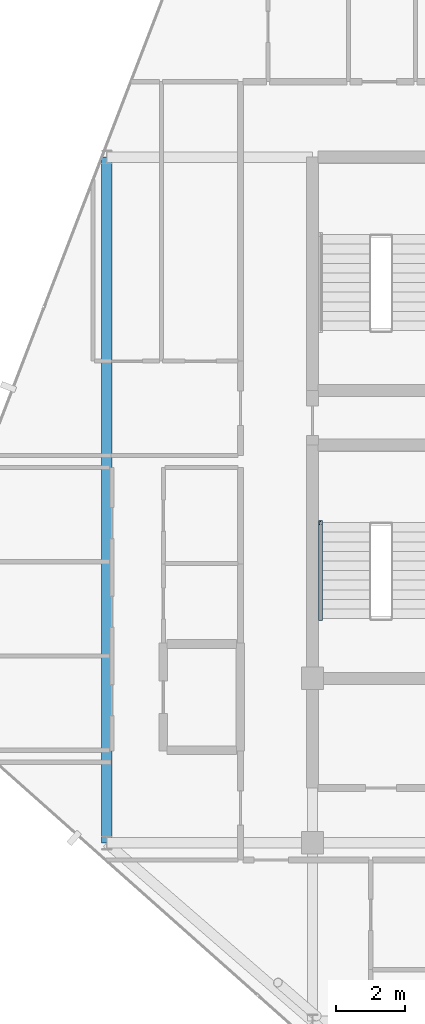
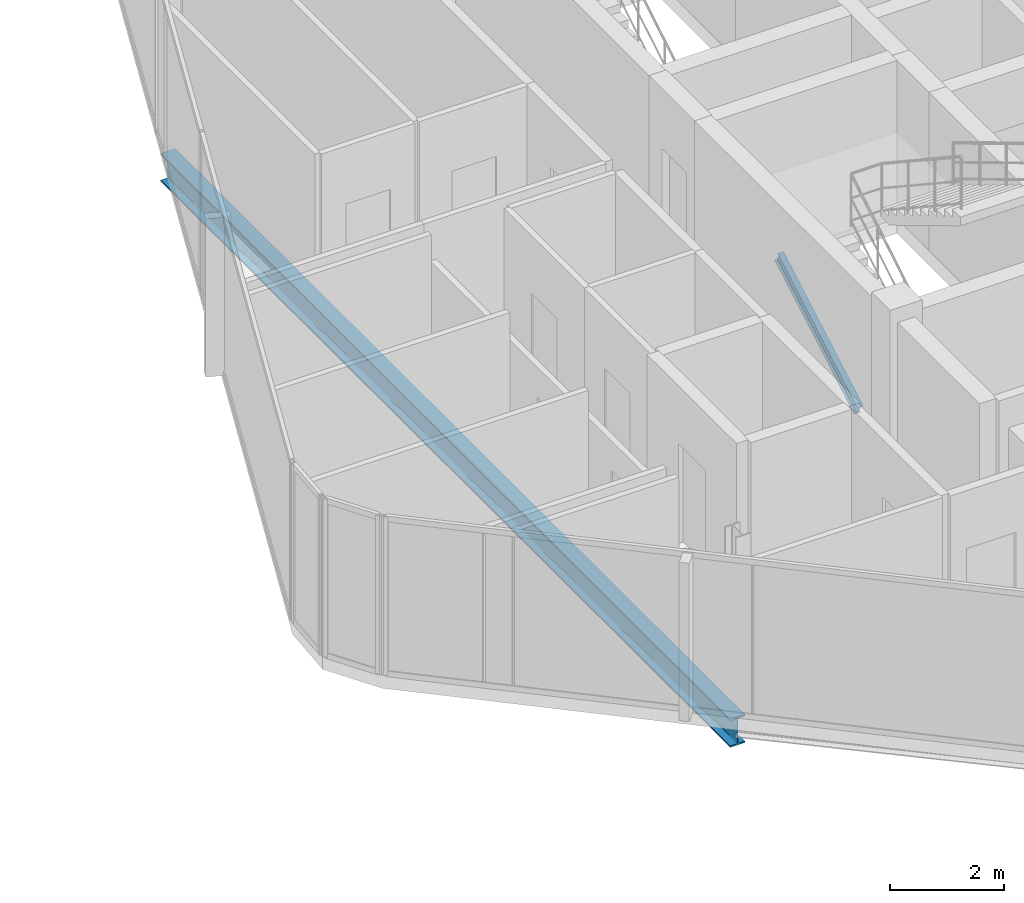
# One storey, part 9 of 28: 1 beam, 1 member.
"""IFC4 building model written with IfcOpenShell, lengths in metres."""

import ifcopenshell
import ifcopenshell.guid

model = None  # the IFC model being written
_history = None  # IfcOwnerHistory: only IFC2X3 demands one
_inside = {}  # id of a spatial element -> (the spatial element, [elements in it])
_under = {}  # id of a project, library or spatial element -> (it, [spatial elements below it])
_declared = {}  # id of a project -> (the project, [libraries it declares])
_typed = {}  # id of a type object -> (the type object, [elements of that type])
_made_of = {}  # id of a material, layer set ... -> (it, [elements and type objects made of it])


def new_model(schema):
    """Start an empty IFC model of exactly this schema.

    Asked for "IFC4X3", IfcOpenShell would pick the latest addendum, in which some entities
    have other attributes; the version numbers below select the first issue.
    IFC2X3 requires an IfcOwnerHistory on every rooted entity: one is made here for all.
    """
    global model, _history
    if schema == "IFC4X3":
        model = ifcopenshell.file(schema_version=(4, 3, 0, 0))
    else:
        model = ifcopenshell.file(schema=schema)
    _inside.clear()
    _under.clear()
    _declared.clear()
    _typed.clear()
    _made_of.clear()
    _history = None
    if model.schema == "IFC2X3":
        org = make("IfcOrganization", Name="unknown")
        user = make(
            "IfcPersonAndOrganization",
            ThePerson=make("IfcPerson", FamilyName="unknown"),
            TheOrganization=org,
        )
        app = make(
            "IfcApplication",
            ApplicationDeveloper=org,
            Version="unknown",
            ApplicationFullName="unknown",
            ApplicationIdentifier="unknown",
        )
        _history = make(
            "IfcOwnerHistory",
            OwningUser=user,
            OwningApplication=app,
            ChangeAction="ADDED",
            CreationDate=0,
        )
    return model


def make(cls, **values):
    """One entity of the class cls with the attributes given. An attribute that is None is left unset."""
    return model.create_entity(
        cls, **{name: value for name, value in values.items() if value is not None}
    )


def rooted(cls, **values):
    """An entity with a GlobalId (a new one), such as an element, a storey or a relation."""
    return make(cls, GlobalId=ifcopenshell.guid.new(), OwnerHistory=_history, **values)


def si_unit(unit_type, name, prefix=None):
    """IfcSIUnit, for example si_unit("LENGTHUNIT", "METRE", prefix="MILLI")."""
    return make("IfcSIUnit", UnitType=unit_type, Prefix=prefix, Name=name)


def assignment(units):
    """IfcUnitAssignment: the units of a project."""
    return None if units is None else make("IfcUnitAssignment", Units=units)


def point(xyz):
    """IfcCartesianPoint."""
    return None if xyz is None else make("IfcCartesianPoint", Coordinates=xyz)


def direction(xyz):
    """IfcDirection."""
    return None if xyz is None else make("IfcDirection", DirectionRatios=xyz)


def frame(location, z_axis=None, x_axis=None):
    """IfcAxis2Placement3D, a coordinate frame: its origin and axes. An axis left out is left unset."""
    return make(
        "IfcAxis2Placement3D",
        Location=point(location),
        Axis=direction(z_axis),
        RefDirection=direction(x_axis),
    )


def frame_2d(location, x_axis=None):
    """IfcAxis2Placement2D, a coordinate frame in the plane: its origin and x axis."""
    return make(
        "IfcAxis2Placement2D", Location=point(location), RefDirection=direction(x_axis)
    )


def origin():
    """The frame at (0, 0, 0) with its axes left unset."""
    return frame((0.0, 0.0, 0.0))


def origin_2d():
    """The frame at (0, 0) in the plane with its x axis left unset."""
    return frame_2d((0.0, 0.0))


def place(relative_to, where):
    """IfcLocalPlacement: puts the frame where relative to a parent placement (None: the world)."""
    return make(
        "IfcLocalPlacement", PlacementRelTo=relative_to, RelativePlacement=where
    )


def context(
    kind, dimensions, precision=None, world=None, true_north=None, identifier=None
):
    """IfcGeometricRepresentationContext, for example the 3D "Model" context."""
    return make(
        "IfcGeometricRepresentationContext",
        ContextIdentifier=identifier,
        ContextType=kind,
        CoordinateSpaceDimension=dimensions,
        Precision=precision,
        WorldCoordinateSystem=world,
        TrueNorth=true_north,
    )


def subcontext(parent, identifier, kind, view, scale=None):
    """IfcGeometricRepresentationSubContext, for example "Body" below "Model"."""
    return make(
        "IfcGeometricRepresentationSubContext",
        ContextIdentifier=identifier,
        ContextType=kind,
        ParentContext=parent,
        TargetScale=scale,
        TargetView=view,
    )


def project(units=None, contexts=None):
    """IfcProject with its units and contexts."""
    return rooted(
        "IfcProject",
        Name="project",
        RepresentationContexts=contexts,
        UnitsInContext=assignment(units),
    )


def spatial(cls, under=None, at=None, **own):
    """A site, building, storey or space (cls), placed at a placement, below another one or the project."""
    s = rooted(cls, ObjectPlacement=at, **own)
    if under is not None:
        _under.setdefault(under.id(), (under, []))[1].append(s)
    return s


def profile(cls, at=None, kind="AREA", **sizes):
    """A parametric profile (cls). Its sizes go by their IFC names, for example OverallWidth=200.0."""
    return make(cls, ProfileType=kind, Position=at, **sizes)


def i_section(**sizes):
    """IfcIShapeProfileDef."""
    return profile("IfcIShapeProfileDef", **sizes)


def extrude(swept, where, along, depth):
    """IfcExtrudedAreaSolid: the profile swept, set in the frame where, extruded along a direction by depth."""
    return make(
        "IfcExtrudedAreaSolid",
        SweptArea=swept,
        Position=where,
        ExtrudedDirection=direction(along),
        Depth=depth,
    )


def shape(context_of_items, identifier, shape_type, items):
    """IfcShapeRepresentation: the items that make up one representation, for example the "Body"."""
    return make(
        "IfcShapeRepresentation",
        ContextOfItems=context_of_items,
        RepresentationIdentifier=identifier,
        RepresentationType=shape_type,
        Items=items,
    )


def material(Name=None, Category=None):
    """IfcMaterial."""
    return make("IfcMaterial", Name=Name, Category=Category)


def material_profile(
    of_material, cross_section, Name=None, Category=None, Priority=None
):
    """IfcMaterialProfile: a cross section and its material."""
    return make(
        "IfcMaterialProfile",
        Name=Name,
        Material=of_material,
        Profile=cross_section,
        Priority=Priority,
        Category=Category,
    )


def profile_set(profiles, Name=None, composite=None):
    """IfcMaterialProfileSet."""
    return make(
        "IfcMaterialProfileSet",
        Name=Name,
        MaterialProfiles=profiles,
        CompositeProfile=composite,
    )


def made_of(thing, what):
    """Note that an element or type object is made of a material, layer set ...; save() writes the relation."""
    if what is not None:
        _made_of.setdefault(what.id(), (what, []))[1].append(thing)
    return thing


def type_object(cls, material=None, **own):
    """A type object (cls), such as IfcWallType, which elements share."""
    return made_of(rooted(cls, **own), material)


def element(
    cls,
    number,
    at=None,
    inside=None,
    cuts=None,
    type_object=None,
    material=None,
    context=None,
    identifier="Body",
    shape_type=None,
    held_by="IfcProductDefinitionShape",
    body=None,
    shapes=None,
    **own,
):
    """One element of the class cls, such as IfcWall. Its Tag is "e" and its number.

    at: its placement. inside: the storey or other place that contains it. cuts: it is an
    opening in that element (IfcRelVoidsElement). A single representation is given by context,
    identifier, shape_type and body (its items); several are given by shapes. held_by: the class
    of the entity that holds the representations. save() writes the other relations.
    """
    e = rooted(cls, Tag="e%d" % number, ObjectPlacement=at, **own)
    if body is not None:
        shapes = [shape(context, identifier, shape_type, body)]
    if shapes is not None:
        e.Representation = make(held_by, Representations=shapes)
    if inside is not None:
        _inside.setdefault(inside.id(), (inside, []))[1].append(e)
    if cuts is not None:
        rooted(
            "IfcRelVoidsElement", RelatingBuildingElement=cuts, RelatedOpeningElement=e
        )
    if type_object is not None:
        _typed.setdefault(type_object.id(), (type_object, []))[1].append(e)
    return made_of(e, material)


def aggregate(whole, parts):
    """IfcRelAggregates: a whole, such as a stair, and the parts it consists of."""
    return rooted("IfcRelAggregates", RelatingObject=whole, RelatedObjects=parts)


def save(model, path):
    """Write the relations noted so far, then the file.

    IfcRelAggregates (storeys below a building ...), IfcRelContainedInSpatialStructure (elements
    in a storey), IfcRelDefinesByType, IfcRelAssociatesMaterial and IfcRelDeclares: one each for
    every whole, place, type object, material and project.
    """
    for whole, parts in _under.values():
        aggregate(whole, parts)
    for where, things in _inside.values():
        rooted(
            "IfcRelContainedInSpatialStructure",
            RelatedElements=things,
            RelatingStructure=where,
        )
    for kind, things in _typed.values():
        rooted("IfcRelDefinesByType", RelatedObjects=things, RelatingType=kind)
    for what, things in _made_of.values():
        rooted("IfcRelAssociatesMaterial", RelatedObjects=things, RelatingMaterial=what)
    for by, libraries in _declared.values():
        rooted("IfcRelDeclares", RelatingContext=by, RelatedDefinitions=libraries)
    model.write(path)


model = new_model("IFC4")

# Units and contexts
model_context = context("Model", 3, precision=1e-05, world=origin(), true_north=direction((0.0, 1.0)))
body_context = subcontext(model_context, "Body", "Model", "MODEL_VIEW")
ifc_project = project(units=[si_unit("LENGTHUNIT", "METRE"), si_unit("AREAUNIT", "SQUARE_METRE"), si_unit("VOLUMEUNIT", "CUBIC_METRE"), si_unit("PLANEANGLEUNIT", "RADIAN"), si_unit("MASSUNIT", "GRAM", prefix="KILO")], contexts=[model_context])

# Site, building, storey
site_placement = place(None, origin())
site = spatial("IfcSite", under=ifc_project, at=site_placement, CompositionType="ELEMENT")
building_placement = place(site_placement, origin())
building = spatial("IfcBuilding", under=site, at=building_placement, Name="Keshet Zoharim Tower", CompositionType="ELEMENT")
storey_placement = place(building_placement, frame((0.0, 0.0, 303.60009765625)))
storey = spatial("IfcBuildingStorey", under=building, at=storey_placement, Name="L76", CompositionType="ELEMENT", Elevation=303.60009765625)

# Beam
ifc_material = material(Name="Steel S355", Category="steel")
ifc_material_profile_1 = material_profile(ifc_material, i_section(OverallWidth=0.300048828125, OverallDepth=0.60009765625, WebThickness=0.015380859375, FlangeThickness=0.030029296875, FilletRadius=0.027099609375, at=origin_2d()), Name="HEB600")
ifc_profile_set_1 = profile_set([ifc_material_profile_1], Name="Steel S355")
beam_type = type_object("IfcBeamType", Name="BM-LNG-HB600", PredefinedType="BEAM", material=ifc_profile_set_1)
beam_placement = place(storey_placement, frame((9.0, 17.89990234375, -0.610107421875), z_axis=(0.0, 1.0, 0.0), x_axis=(-1.0, 0.0, 0.0)))
element("IfcBeam", 1, at=beam_placement, inside=storey, type_object=beam_type, Name="L76 Primary Girder Y-001", PredefinedType="BEAM", context=body_context, shape_type="SweptSolid", body=[
    extrude(i_section(OverallWidth=0.300048828125, OverallDepth=0.60009765625, WebThickness=0.015380859375, FlangeThickness=0.030029296875, FilletRadius=0.027099609375, at=origin_2d()), origin(), (0.0, 0.0, 1.0), 20.0),
])

# Member
ifc_material_profile_2 = material_profile(ifc_material, i_section(OverallWidth=0.1201171875, OverallDepth=0.239990234375, WebThickness=0.006103515625, FlangeThickness=0.009765625, FilletRadius=0.014892578125, at=origin_2d()), Name="IPE240")
ifc_profile_set_2 = profile_set([ifc_material_profile_2], Name="Steel S355")
member_type = type_object("IfcMemberType", Name="MB-STRG-IP240", PredefinedType="STRINGER", material=ifc_profile_set_2)
member_placement = place(storey_placement, frame((15.22998046875, 24.43994140625, 0.119873046875), z_axis=(0.0, 0.86689568745, 0.49848958573), x_axis=(-1.0, 0.0, 0.0)))
element("IfcMember", 2, at=member_placement, inside=storey, type_object=member_type, Name="L76 ST-01 Flight Steel Stringer", PredefinedType="STRINGER", context=body_context, shape_type="SweptSolid", body=[
    extrude(i_section(OverallWidth=0.1201171875, OverallDepth=0.239990234375, WebThickness=0.006103515625, FlangeThickness=0.009765625, FilletRadius=0.014892578125, at=origin_2d()), origin(), (0.0, 0.0, 1.0), 3.22998046875),
])

save(model, "model.ifc")
